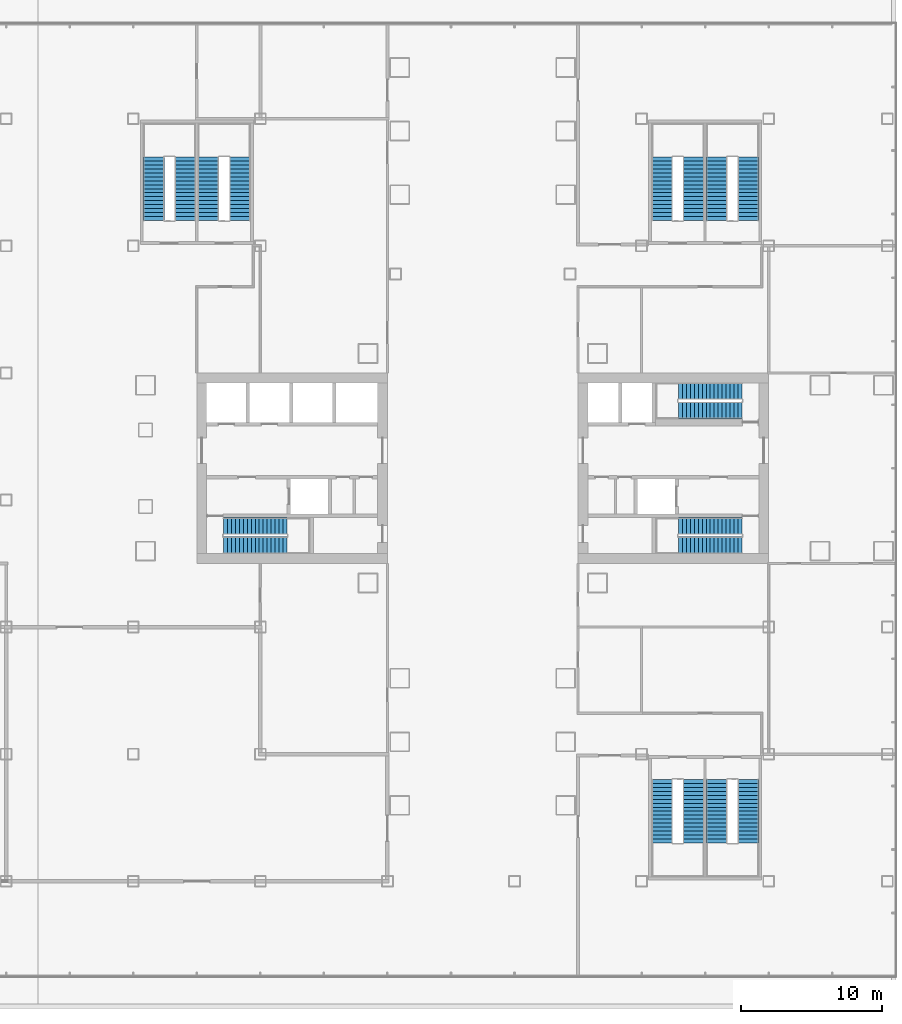
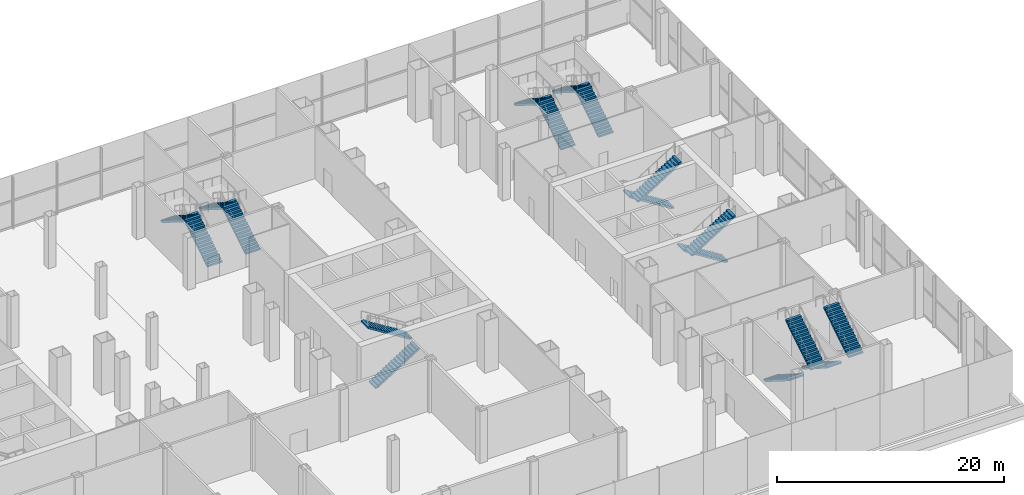
# One storey, part 33 of 38: 18 stair flights, 9 elements without a shape of their own.
"""IFC4 building model written with IfcOpenShell, lengths in metres."""

from ifc_helpers import new_model, si_unit, direction, frame, origin, place, context, subcontext, project, spatial, polyline, outline, extrude, material, type_object, element, aggregate, save


model = new_model("IFC4")

# Units and contexts
model_context = context("Model", 3, precision=1e-05, world=origin(), true_north=direction((0.0, 1.0)))
body_context = subcontext(model_context, "Body", "Model", "MODEL_VIEW")
ifc_project = project(units=[si_unit("LENGTHUNIT", "METRE"), si_unit("AREAUNIT", "SQUARE_METRE"), si_unit("VOLUMEUNIT", "CUBIC_METRE"), si_unit("PLANEANGLEUNIT", "RADIAN"), si_unit("MASSUNIT", "GRAM", prefix="KILO")], contexts=[model_context])

# Site, building, storey
site_placement = place(None, origin())
site = spatial("IfcSite", under=ifc_project, at=site_placement, CompositionType="ELEMENT")
building_placement = place(site_placement, origin())
building = spatial("IfcBuilding", under=site, at=building_placement, Name="Shamsa Quay Exchange Towers", CompositionType="ELEMENT")
storey_placement = place(building_placement, frame((0.0, 0.0, 12.5)))
storey = spatial("IfcBuildingStorey", under=building, at=storey_placement, Name="L02", CompositionType="ELEMENT", Elevation=12.5)

# Stair, stair flights
ifc_material = material(Name="Concrete C40/50", Category="concrete")
stair_type_1 = type_object("IfcStairType", Name="EXIT STAIR 34 RISERS 176 MM", PredefinedType="HALF_TURN_STAIR", material=ifc_material)
stair_1_placement = place(storey_placement, origin())
stair_1 = element("IfcStair", 1, at=stair_1_placement, inside=storey, type_object=stair_type_1, Name="L02 Exit stair ST4", PredefinedType="HALF_TURN_STAIR")
stair_flight_type_1 = type_object("IfcStairFlightType", Name="EXIT STAIR FLIGHT 17 RISERS 176 MM", PredefinedType="STRAIGHT", material=ifc_material)
stair_flight_1_placement = place(storey_placement, frame((15.39990234375, -5.449951171875, 0.0)))
stair_flight_1 = element("IfcStairFlight", 2, at=stair_flight_1_placement, type_object=stair_flight_type_1, Name="ST4 flight 1", NumberOfRisers=17, NumberOfTreads=16, PredefinedType="STRAIGHT", RiserHeight=0.176470588, TreadLength=0.28, context=body_context, shape_type="SweptSolid", body=[
    extrude(outline(polyline([(0.0, 0.0), (0.0, 0.176513671875), (0.280029296875, 0.176513671875), (0.280029296875, 0.35302734375), (0.56005859375, 0.35302734375), (0.56005859375, 0.529296875), (0.840087890625, 0.529296875), (0.840087890625, 0.705810546875), (1.1201171875, 0.705810546875), (1.1201171875, 0.88232421875), (1.39990234375, 0.88232421875), (1.39990234375, 1.058837890625), (1.679931640625, 1.058837890625), (1.679931640625, 1.2353515625), (1.9599609375, 1.2353515625), (1.9599609375, 1.411865234375), (2.239990234375, 1.411865234375), (2.239990234375, 1.588134765625), (2.52001953125, 1.588134765625), (2.52001953125, 1.7646484375), (2.800048828125, 1.7646484375), (2.800048828125, 1.941162109375), (3.080078125, 1.941162109375), (3.080078125, 2.11767578125), (3.360107421875, 2.11767578125), (3.360107421875, 2.294189453125), (3.639892578125, 2.294189453125), (3.639892578125, 2.470703125), (3.919921875, 2.470703125), (3.919921875, 2.64697265625), (4.199951171875, 2.64697265625), (4.199951171875, 2.823486328125), (4.47998046875, 2.823486328125), (4.47998046875, 3.0), (4.47998046875, 2.658203125), (0.262451171875, 0.0), (0.0, 0.0)])), frame((0.0, 0.60009765625, 0.0), z_axis=(0.0, -1.0, 0.0), x_axis=(1.0, 0.0, 0.0)), (0.0, 0.0, 1.0), 1.199951171875),
])
stair_flight_2_placement = place(storey_placement, frame((19.8798828125, -4.10009765625, 3.0), z_axis=(0.0, 0.0, 1.0), x_axis=(-1.0, 0.0, 0.0)))
stair_flight_2 = element("IfcStairFlight", 3, at=stair_flight_2_placement, type_object=stair_flight_type_1, Name="ST4 flight 2", NumberOfRisers=17, NumberOfTreads=16, PredefinedType="STRAIGHT", RiserHeight=0.176470588, TreadLength=0.28, context=body_context, shape_type="SweptSolid", body=[
    extrude(outline(polyline([(0.0, 0.0), (0.0, 0.176513671875), (0.280029296875, 0.176513671875), (0.280029296875, 0.35302734375), (0.56005859375, 0.35302734375), (0.56005859375, 0.529296875), (0.840087890625, 0.529296875), (0.840087890625, 0.705810546875), (1.1201171875, 0.705810546875), (1.1201171875, 0.88232421875), (1.39990234375, 0.88232421875), (1.39990234375, 1.058837890625), (1.679931640625, 1.058837890625), (1.679931640625, 1.2353515625), (1.9599609375, 1.2353515625), (1.9599609375, 1.411865234375), (2.239990234375, 1.411865234375), (2.239990234375, 1.588134765625), (2.52001953125, 1.588134765625), (2.52001953125, 1.7646484375), (2.800048828125, 1.7646484375), (2.800048828125, 1.941162109375), (3.080078125, 1.941162109375), (3.080078125, 2.11767578125), (3.360107421875, 2.11767578125), (3.360107421875, 2.294189453125), (3.639892578125, 2.294189453125), (3.639892578125, 2.470703125), (3.919921875, 2.470703125), (3.919921875, 2.64697265625), (4.199951171875, 2.64697265625), (4.199951171875, 2.823486328125), (4.47998046875, 2.823486328125), (4.47998046875, 3.0), (4.47998046875, 2.658203125), (0.262451171875, 0.0), (0.0, 0.0)])), frame((0.0, 0.60009765625, 0.0), z_axis=(0.0, -1.0, 0.0), x_axis=(1.0, 0.0, 0.0)), (0.0, 0.0, 1.0), 1.199951171875),
])
aggregate(stair_1, [stair_flight_1, stair_flight_2])

stair_2_placement = place(storey_placement, origin())
stair_2 = element("IfcStair", 4, at=stair_2_placement, inside=storey, type_object=stair_type_1, Name="L02 Exit stair ST5", PredefinedType="HALF_TURN_STAIR")
stair_flight_3_placement = place(storey_placement, frame((52.10009765625, -4.10009765625, 0.0), z_axis=(0.0, 0.0, 1.0), x_axis=(-1.0, 0.0, 0.0)))
stair_flight_3 = element("IfcStairFlight", 5, at=stair_flight_3_placement, type_object=stair_flight_type_1, Name="ST5 flight 1", NumberOfRisers=17, NumberOfTreads=16, PredefinedType="STRAIGHT", RiserHeight=0.176470588, TreadLength=0.28, context=body_context, shape_type="SweptSolid", body=[
    extrude(outline(polyline([(0.0, 0.0), (0.0, 0.176513671875), (0.280029296875, 0.176513671875), (0.280029296875, 0.35302734375), (0.56005859375, 0.35302734375), (0.56005859375, 0.529296875), (0.840087890625, 0.529296875), (0.840087890625, 0.705810546875), (1.1201171875, 0.705810546875), (1.1201171875, 0.88232421875), (1.39990234375, 0.88232421875), (1.39990234375, 1.058837890625), (1.679931640625, 1.058837890625), (1.679931640625, 1.2353515625), (1.9599609375, 1.2353515625), (1.9599609375, 1.411865234375), (2.239990234375, 1.411865234375), (2.239990234375, 1.588134765625), (2.52001953125, 1.588134765625), (2.52001953125, 1.7646484375), (2.800048828125, 1.7646484375), (2.800048828125, 1.941162109375), (3.080078125, 1.941162109375), (3.080078125, 2.11767578125), (3.360107421875, 2.11767578125), (3.360107421875, 2.294189453125), (3.639892578125, 2.294189453125), (3.639892578125, 2.470703125), (3.919921875, 2.470703125), (3.919921875, 2.64697265625), (4.199951171875, 2.64697265625), (4.199951171875, 2.823486328125), (4.47998046875, 2.823486328125), (4.47998046875, 3.0), (4.47998046875, 2.658203125), (0.262451171875, 0.0), (0.0, 0.0)])), frame((0.0, 0.60009765625, 0.0), z_axis=(0.0, -1.0, 0.0), x_axis=(1.0, 0.0, 0.0)), (0.0, 0.0, 1.0), 1.199951171875),
])
stair_flight_4_placement = place(storey_placement, frame((47.6201171875, -5.449951171875, 3.0)))
stair_flight_4 = element("IfcStairFlight", 6, at=stair_flight_4_placement, type_object=stair_flight_type_1, Name="ST5 flight 2", NumberOfRisers=17, NumberOfTreads=16, PredefinedType="STRAIGHT", RiserHeight=0.176470588, TreadLength=0.28, context=body_context, shape_type="SweptSolid", body=[
    extrude(outline(polyline([(0.0, 0.0), (0.0, 0.176513671875), (0.280029296875, 0.176513671875), (0.280029296875, 0.35302734375), (0.56005859375, 0.35302734375), (0.56005859375, 0.529296875), (0.840087890625, 0.529296875), (0.840087890625, 0.705810546875), (1.1201171875, 0.705810546875), (1.1201171875, 0.88232421875), (1.39990234375, 0.88232421875), (1.39990234375, 1.058837890625), (1.679931640625, 1.058837890625), (1.679931640625, 1.2353515625), (1.9599609375, 1.2353515625), (1.9599609375, 1.411865234375), (2.239990234375, 1.411865234375), (2.239990234375, 1.588134765625), (2.52001953125, 1.588134765625), (2.52001953125, 1.7646484375), (2.800048828125, 1.7646484375), (2.800048828125, 1.941162109375), (3.080078125, 1.941162109375), (3.080078125, 2.11767578125), (3.360107421875, 2.11767578125), (3.360107421875, 2.294189453125), (3.639892578125, 2.294189453125), (3.639892578125, 2.470703125), (3.919921875, 2.470703125), (3.919921875, 2.64697265625), (4.199951171875, 2.64697265625), (4.199951171875, 2.823486328125), (4.47998046875, 2.823486328125), (4.47998046875, 3.0), (4.47998046875, 2.658203125), (0.262451171875, 0.0), (0.0, 0.0)])), frame((0.0, 0.60009765625, 0.0), z_axis=(0.0, -1.0, 0.0), x_axis=(1.0, 0.0, 0.0)), (0.0, 0.0, 1.0), 1.199951171875),
])
aggregate(stair_2, [stair_flight_3, stair_flight_4])

stair_3_placement = place(storey_placement, origin())
stair_3 = element("IfcStair", 7, at=stair_3_placement, inside=storey, type_object=stair_type_1, Name="L02 Exit stair ST6", PredefinedType="HALF_TURN_STAIR")
stair_flight_5_placement = place(storey_placement, frame((52.10009765625, 5.449951171875, 0.0), z_axis=(0.0, 0.0, 1.0), x_axis=(-1.0, 0.0, 0.0)))
stair_flight_5 = element("IfcStairFlight", 8, at=stair_flight_5_placement, type_object=stair_flight_type_1, Name="ST6 flight 1", NumberOfRisers=17, NumberOfTreads=16, PredefinedType="STRAIGHT", RiserHeight=0.176470588, TreadLength=0.28, context=body_context, shape_type="SweptSolid", body=[
    extrude(outline(polyline([(0.0, 0.0), (0.0, 0.176513671875), (0.280029296875, 0.176513671875), (0.280029296875, 0.35302734375), (0.56005859375, 0.35302734375), (0.56005859375, 0.529296875), (0.840087890625, 0.529296875), (0.840087890625, 0.705810546875), (1.1201171875, 0.705810546875), (1.1201171875, 0.88232421875), (1.39990234375, 0.88232421875), (1.39990234375, 1.058837890625), (1.679931640625, 1.058837890625), (1.679931640625, 1.2353515625), (1.9599609375, 1.2353515625), (1.9599609375, 1.411865234375), (2.239990234375, 1.411865234375), (2.239990234375, 1.588134765625), (2.52001953125, 1.588134765625), (2.52001953125, 1.7646484375), (2.800048828125, 1.7646484375), (2.800048828125, 1.941162109375), (3.080078125, 1.941162109375), (3.080078125, 2.11767578125), (3.360107421875, 2.11767578125), (3.360107421875, 2.294189453125), (3.639892578125, 2.294189453125), (3.639892578125, 2.470703125), (3.919921875, 2.470703125), (3.919921875, 2.64697265625), (4.199951171875, 2.64697265625), (4.199951171875, 2.823486328125), (4.47998046875, 2.823486328125), (4.47998046875, 3.0), (4.47998046875, 2.658203125), (0.262451171875, 0.0), (0.0, 0.0)])), frame((0.0, 0.60009765625, 0.0), z_axis=(0.0, -1.0, 0.0), x_axis=(1.0, 0.0, 0.0)), (0.0, 0.0, 1.0), 1.199951171875),
])
stair_flight_6_placement = place(storey_placement, frame((47.6201171875, 4.10009765625, 3.0)))
stair_flight_6 = element("IfcStairFlight", 9, at=stair_flight_6_placement, type_object=stair_flight_type_1, Name="ST6 flight 2", NumberOfRisers=17, NumberOfTreads=16, PredefinedType="STRAIGHT", RiserHeight=0.176470588, TreadLength=0.28, context=body_context, shape_type="SweptSolid", body=[
    extrude(outline(polyline([(0.0, 0.0), (0.0, 0.176513671875), (0.280029296875, 0.176513671875), (0.280029296875, 0.35302734375), (0.56005859375, 0.35302734375), (0.56005859375, 0.529296875), (0.840087890625, 0.529296875), (0.840087890625, 0.705810546875), (1.1201171875, 0.705810546875), (1.1201171875, 0.88232421875), (1.39990234375, 0.88232421875), (1.39990234375, 1.058837890625), (1.679931640625, 1.058837890625), (1.679931640625, 1.2353515625), (1.9599609375, 1.2353515625), (1.9599609375, 1.411865234375), (2.239990234375, 1.411865234375), (2.239990234375, 1.588134765625), (2.52001953125, 1.588134765625), (2.52001953125, 1.7646484375), (2.800048828125, 1.7646484375), (2.800048828125, 1.941162109375), (3.080078125, 1.941162109375), (3.080078125, 2.11767578125), (3.360107421875, 2.11767578125), (3.360107421875, 2.294189453125), (3.639892578125, 2.294189453125), (3.639892578125, 2.470703125), (3.919921875, 2.470703125), (3.919921875, 2.64697265625), (4.199951171875, 2.64697265625), (4.199951171875, 2.823486328125), (4.47998046875, 2.823486328125), (4.47998046875, 3.0), (4.47998046875, 2.658203125), (0.262451171875, 0.0), (0.0, 0.0)])), frame((0.0, 0.60009765625, 0.0), z_axis=(0.0, -1.0, 0.0), x_axis=(1.0, 0.0, 0.0)), (0.0, 0.0, 1.0), 1.199951171875),
])
aggregate(stair_3, [stair_flight_5, stair_flight_6])

stair_type_2 = type_object("IfcStairType", Name="PODIUM EXIT STAIR 34 RISERS 176 MM 1500 WIDE", PredefinedType="HALF_TURN_STAIR", material=ifc_material)
stair_4_placement = place(storey_placement, origin())
stair_4 = element("IfcStair", 10, at=stair_4_placement, inside=storey, type_object=stair_type_2, Name="L02 Exit stair PS3A", PredefinedType="HALF_TURN_STAIR")
stair_flight_type_2 = type_object("IfcStairFlightType", Name="PODIUM EXIT STAIR FLIGHT 17 RISERS 176 MM 1500 WIDE", PredefinedType="STRAIGHT", material=ifc_material)
stair_flight_7_placement = place(storey_placement, frame((12.675048828125, 17.550048828125, 0.0), z_axis=(0.0, 0.0, 1.0), x_axis=(0.0, 1.0, 0.0)))
stair_flight_7 = element("IfcStairFlight", 11, at=stair_flight_7_placement, type_object=stair_flight_type_2, Name="PS3A flight 1", NumberOfRisers=17, NumberOfTreads=16, PredefinedType="STRAIGHT", RiserHeight=0.176470588, TreadLength=0.28, context=body_context, shape_type="SweptSolid", body=[
    extrude(outline(polyline([(0.0, 0.0), (0.0, 0.176513671875), (0.280029296875, 0.176513671875), (0.280029296875, 0.35302734375), (0.56005859375, 0.35302734375), (0.56005859375, 0.529296875), (0.840087890625, 0.529296875), (0.840087890625, 0.705810546875), (1.1201171875, 0.705810546875), (1.1201171875, 0.88232421875), (1.39990234375, 0.88232421875), (1.39990234375, 1.058837890625), (1.679931640625, 1.058837890625), (1.679931640625, 1.2353515625), (1.9599609375, 1.2353515625), (1.9599609375, 1.411865234375), (2.239990234375, 1.411865234375), (2.239990234375, 1.588134765625), (2.52001953125, 1.588134765625), (2.52001953125, 1.7646484375), (2.800048828125, 1.7646484375), (2.800048828125, 1.941162109375), (3.080078125, 1.941162109375), (3.080078125, 2.11767578125), (3.360107421875, 2.11767578125), (3.360107421875, 2.294189453125), (3.639892578125, 2.294189453125), (3.639892578125, 2.470703125), (3.919921875, 2.470703125), (3.919921875, 2.64697265625), (4.199951171875, 2.64697265625), (4.199951171875, 2.823486328125), (4.47998046875, 2.823486328125), (4.47998046875, 3.0), (4.47998046875, 2.646240234375), (0.28125, 0.0), (0.0, 0.0)])), frame((0.0, 0.75, 0.0), z_axis=(0.0, -1.0, 0.0), x_axis=(1.0, 0.0, 0.0)), (0.0, 0.0, 1.0), 1.5),
])
stair_flight_8_placement = place(storey_placement, frame((10.449951171875, 22.030029296875, 3.0), z_axis=(0.0, 0.0, 1.0), x_axis=(0.0, -1.0, 0.0)))
stair_flight_8 = element("IfcStairFlight", 12, at=stair_flight_8_placement, type_object=stair_flight_type_2, Name="PS3A flight 2", NumberOfRisers=17, NumberOfTreads=16, PredefinedType="STRAIGHT", RiserHeight=0.176470588, TreadLength=0.28, context=body_context, shape_type="SweptSolid", body=[
    extrude(outline(polyline([(0.0, 0.0), (0.0, 0.176513671875), (0.280029296875, 0.176513671875), (0.280029296875, 0.35302734375), (0.56005859375, 0.35302734375), (0.56005859375, 0.529296875), (0.840087890625, 0.529296875), (0.840087890625, 0.705810546875), (1.1201171875, 0.705810546875), (1.1201171875, 0.88232421875), (1.39990234375, 0.88232421875), (1.39990234375, 1.058837890625), (1.679931640625, 1.058837890625), (1.679931640625, 1.2353515625), (1.9599609375, 1.2353515625), (1.9599609375, 1.411865234375), (2.239990234375, 1.411865234375), (2.239990234375, 1.588134765625), (2.52001953125, 1.588134765625), (2.52001953125, 1.7646484375), (2.800048828125, 1.7646484375), (2.800048828125, 1.941162109375), (3.080078125, 1.941162109375), (3.080078125, 2.11767578125), (3.360107421875, 2.11767578125), (3.360107421875, 2.294189453125), (3.639892578125, 2.294189453125), (3.639892578125, 2.470703125), (3.919921875, 2.470703125), (3.919921875, 2.64697265625), (4.199951171875, 2.64697265625), (4.199951171875, 2.823486328125), (4.47998046875, 2.823486328125), (4.47998046875, 3.0), (4.47998046875, 2.646240234375), (0.28125, 0.0), (0.0, 0.0)])), frame((0.0, 0.75, 0.0), z_axis=(0.0, -1.0, 0.0), x_axis=(1.0, 0.0, 0.0)), (0.0, 0.0, 1.0), 1.5),
])
aggregate(stair_4, [stair_flight_7, stair_flight_8])

stair_5_placement = place(storey_placement, origin())
stair_5 = element("IfcStair", 13, at=stair_5_placement, inside=storey, type_object=stair_type_2, Name="L02 Exit stair PS3B", PredefinedType="HALF_TURN_STAIR")
stair_flight_9_placement = place(storey_placement, frame((16.550048828125, 17.550048828125, 0.0), z_axis=(0.0, 0.0, 1.0), x_axis=(0.0, 1.0, 0.0)))
stair_flight_9 = element("IfcStairFlight", 14, at=stair_flight_9_placement, type_object=stair_flight_type_2, Name="PS3B flight 1", NumberOfRisers=17, NumberOfTreads=16, PredefinedType="STRAIGHT", RiserHeight=0.176470588, TreadLength=0.28, context=body_context, shape_type="SweptSolid", body=[
    extrude(outline(polyline([(0.0, 0.0), (0.0, 0.176513671875), (0.280029296875, 0.176513671875), (0.280029296875, 0.35302734375), (0.56005859375, 0.35302734375), (0.56005859375, 0.529296875), (0.840087890625, 0.529296875), (0.840087890625, 0.705810546875), (1.1201171875, 0.705810546875), (1.1201171875, 0.88232421875), (1.39990234375, 0.88232421875), (1.39990234375, 1.058837890625), (1.679931640625, 1.058837890625), (1.679931640625, 1.2353515625), (1.9599609375, 1.2353515625), (1.9599609375, 1.411865234375), (2.239990234375, 1.411865234375), (2.239990234375, 1.588134765625), (2.52001953125, 1.588134765625), (2.52001953125, 1.7646484375), (2.800048828125, 1.7646484375), (2.800048828125, 1.941162109375), (3.080078125, 1.941162109375), (3.080078125, 2.11767578125), (3.360107421875, 2.11767578125), (3.360107421875, 2.294189453125), (3.639892578125, 2.294189453125), (3.639892578125, 2.470703125), (3.919921875, 2.470703125), (3.919921875, 2.64697265625), (4.199951171875, 2.64697265625), (4.199951171875, 2.823486328125), (4.47998046875, 2.823486328125), (4.47998046875, 3.0), (4.47998046875, 2.646240234375), (0.28125, 0.0), (0.0, 0.0)])), frame((0.0, 0.75, 0.0), z_axis=(0.0, -1.0, 0.0), x_axis=(1.0, 0.0, 0.0)), (0.0, 0.0, 1.0), 1.5),
])
stair_flight_10_placement = place(storey_placement, frame((14.324951171875, 22.030029296875, 3.0), z_axis=(0.0, 0.0, 1.0), x_axis=(0.0, -1.0, 0.0)))
stair_flight_10 = element("IfcStairFlight", 15, at=stair_flight_10_placement, type_object=stair_flight_type_2, Name="PS3B flight 2", NumberOfRisers=17, NumberOfTreads=16, PredefinedType="STRAIGHT", RiserHeight=0.176470588, TreadLength=0.28, context=body_context, shape_type="SweptSolid", body=[
    extrude(outline(polyline([(0.0, 0.0), (0.0, 0.176513671875), (0.280029296875, 0.176513671875), (0.280029296875, 0.35302734375), (0.56005859375, 0.35302734375), (0.56005859375, 0.529296875), (0.840087890625, 0.529296875), (0.840087890625, 0.705810546875), (1.1201171875, 0.705810546875), (1.1201171875, 0.88232421875), (1.39990234375, 0.88232421875), (1.39990234375, 1.058837890625), (1.679931640625, 1.058837890625), (1.679931640625, 1.2353515625), (1.9599609375, 1.2353515625), (1.9599609375, 1.411865234375), (2.239990234375, 1.411865234375), (2.239990234375, 1.588134765625), (2.52001953125, 1.588134765625), (2.52001953125, 1.7646484375), (2.800048828125, 1.7646484375), (2.800048828125, 1.941162109375), (3.080078125, 1.941162109375), (3.080078125, 2.11767578125), (3.360107421875, 2.11767578125), (3.360107421875, 2.294189453125), (3.639892578125, 2.294189453125), (3.639892578125, 2.470703125), (3.919921875, 2.470703125), (3.919921875, 2.64697265625), (4.199951171875, 2.64697265625), (4.199951171875, 2.823486328125), (4.47998046875, 2.823486328125), (4.47998046875, 3.0), (4.47998046875, 2.646240234375), (0.28125, 0.0), (0.0, 0.0)])), frame((0.0, 0.75, 0.0), z_axis=(0.0, -1.0, 0.0), x_axis=(1.0, 0.0, 0.0)), (0.0, 0.0, 1.0), 1.5),
])
aggregate(stair_5, [stair_flight_9, stair_flight_10])

stair_6_placement = place(storey_placement, origin())
stair_6 = element("IfcStair", 16, at=stair_6_placement, inside=storey, type_object=stair_type_2, Name="L02 Exit stair PS4A", PredefinedType="HALF_TURN_STAIR")
stair_flight_11_placement = place(storey_placement, frame((48.675048828125, 17.550048828125, 0.0), z_axis=(0.0, 0.0, 1.0), x_axis=(0.0, 1.0, 0.0)))
stair_flight_11 = element("IfcStairFlight", 17, at=stair_flight_11_placement, type_object=stair_flight_type_2, Name="PS4A flight 1", NumberOfRisers=17, NumberOfTreads=16, PredefinedType="STRAIGHT", RiserHeight=0.176470588, TreadLength=0.28, context=body_context, shape_type="SweptSolid", body=[
    extrude(outline(polyline([(0.0, 0.0), (0.0, 0.176513671875), (0.280029296875, 0.176513671875), (0.280029296875, 0.35302734375), (0.56005859375, 0.35302734375), (0.56005859375, 0.529296875), (0.840087890625, 0.529296875), (0.840087890625, 0.705810546875), (1.1201171875, 0.705810546875), (1.1201171875, 0.88232421875), (1.39990234375, 0.88232421875), (1.39990234375, 1.058837890625), (1.679931640625, 1.058837890625), (1.679931640625, 1.2353515625), (1.9599609375, 1.2353515625), (1.9599609375, 1.411865234375), (2.239990234375, 1.411865234375), (2.239990234375, 1.588134765625), (2.52001953125, 1.588134765625), (2.52001953125, 1.7646484375), (2.800048828125, 1.7646484375), (2.800048828125, 1.941162109375), (3.080078125, 1.941162109375), (3.080078125, 2.11767578125), (3.360107421875, 2.11767578125), (3.360107421875, 2.294189453125), (3.639892578125, 2.294189453125), (3.639892578125, 2.470703125), (3.919921875, 2.470703125), (3.919921875, 2.64697265625), (4.199951171875, 2.64697265625), (4.199951171875, 2.823486328125), (4.47998046875, 2.823486328125), (4.47998046875, 3.0), (4.47998046875, 2.646240234375), (0.28125, 0.0), (0.0, 0.0)])), frame((0.0, 0.75, 0.0), z_axis=(0.0, -1.0, 0.0), x_axis=(1.0, 0.0, 0.0)), (0.0, 0.0, 1.0), 1.5),
])
stair_flight_12_placement = place(storey_placement, frame((46.449951171875, 22.030029296875, 3.0), z_axis=(0.0, 0.0, 1.0), x_axis=(0.0, -1.0, 0.0)))
stair_flight_12 = element("IfcStairFlight", 18, at=stair_flight_12_placement, type_object=stair_flight_type_2, Name="PS4A flight 2", NumberOfRisers=17, NumberOfTreads=16, PredefinedType="STRAIGHT", RiserHeight=0.176470588, TreadLength=0.28, context=body_context, shape_type="SweptSolid", body=[
    extrude(outline(polyline([(0.0, 0.0), (0.0, 0.176513671875), (0.280029296875, 0.176513671875), (0.280029296875, 0.35302734375), (0.56005859375, 0.35302734375), (0.56005859375, 0.529296875), (0.840087890625, 0.529296875), (0.840087890625, 0.705810546875), (1.1201171875, 0.705810546875), (1.1201171875, 0.88232421875), (1.39990234375, 0.88232421875), (1.39990234375, 1.058837890625), (1.679931640625, 1.058837890625), (1.679931640625, 1.2353515625), (1.9599609375, 1.2353515625), (1.9599609375, 1.411865234375), (2.239990234375, 1.411865234375), (2.239990234375, 1.588134765625), (2.52001953125, 1.588134765625), (2.52001953125, 1.7646484375), (2.800048828125, 1.7646484375), (2.800048828125, 1.941162109375), (3.080078125, 1.941162109375), (3.080078125, 2.11767578125), (3.360107421875, 2.11767578125), (3.360107421875, 2.294189453125), (3.639892578125, 2.294189453125), (3.639892578125, 2.470703125), (3.919921875, 2.470703125), (3.919921875, 2.64697265625), (4.199951171875, 2.64697265625), (4.199951171875, 2.823486328125), (4.47998046875, 2.823486328125), (4.47998046875, 3.0), (4.47998046875, 2.646240234375), (0.28125, 0.0), (0.0, 0.0)])), frame((0.0, 0.75, 0.0), z_axis=(0.0, -1.0, 0.0), x_axis=(1.0, 0.0, 0.0)), (0.0, 0.0, 1.0), 1.5),
])
aggregate(stair_6, [stair_flight_11, stair_flight_12])

stair_7_placement = place(storey_placement, origin())
stair_7 = element("IfcStair", 19, at=stair_7_placement, inside=storey, type_object=stair_type_2, Name="L02 Exit stair PS4B", PredefinedType="HALF_TURN_STAIR")
stair_flight_13_placement = place(storey_placement, frame((52.550048828125, 17.550048828125, 0.0), z_axis=(0.0, 0.0, 1.0), x_axis=(0.0, 1.0, 0.0)))
stair_flight_13 = element("IfcStairFlight", 20, at=stair_flight_13_placement, type_object=stair_flight_type_2, Name="PS4B flight 1", NumberOfRisers=17, NumberOfTreads=16, PredefinedType="STRAIGHT", RiserHeight=0.176470588, TreadLength=0.28, context=body_context, shape_type="SweptSolid", body=[
    extrude(outline(polyline([(0.0, 0.0), (0.0, 0.176513671875), (0.280029296875, 0.176513671875), (0.280029296875, 0.35302734375), (0.56005859375, 0.35302734375), (0.56005859375, 0.529296875), (0.840087890625, 0.529296875), (0.840087890625, 0.705810546875), (1.1201171875, 0.705810546875), (1.1201171875, 0.88232421875), (1.39990234375, 0.88232421875), (1.39990234375, 1.058837890625), (1.679931640625, 1.058837890625), (1.679931640625, 1.2353515625), (1.9599609375, 1.2353515625), (1.9599609375, 1.411865234375), (2.239990234375, 1.411865234375), (2.239990234375, 1.588134765625), (2.52001953125, 1.588134765625), (2.52001953125, 1.7646484375), (2.800048828125, 1.7646484375), (2.800048828125, 1.941162109375), (3.080078125, 1.941162109375), (3.080078125, 2.11767578125), (3.360107421875, 2.11767578125), (3.360107421875, 2.294189453125), (3.639892578125, 2.294189453125), (3.639892578125, 2.470703125), (3.919921875, 2.470703125), (3.919921875, 2.64697265625), (4.199951171875, 2.64697265625), (4.199951171875, 2.823486328125), (4.47998046875, 2.823486328125), (4.47998046875, 3.0), (4.47998046875, 2.646240234375), (0.28125, 0.0), (0.0, 0.0)])), frame((0.0, 0.75, 0.0), z_axis=(0.0, -1.0, 0.0), x_axis=(1.0, 0.0, 0.0)), (0.0, 0.0, 1.0), 1.5),
])
stair_flight_14_placement = place(storey_placement, frame((50.324951171875, 22.030029296875, 3.0), z_axis=(0.0, 0.0, 1.0), x_axis=(0.0, -1.0, 0.0)))
stair_flight_14 = element("IfcStairFlight", 21, at=stair_flight_14_placement, type_object=stair_flight_type_2, Name="PS4B flight 2", NumberOfRisers=17, NumberOfTreads=16, PredefinedType="STRAIGHT", RiserHeight=0.176470588, TreadLength=0.28, context=body_context, shape_type="SweptSolid", body=[
    extrude(outline(polyline([(0.0, 0.0), (0.0, 0.176513671875), (0.280029296875, 0.176513671875), (0.280029296875, 0.35302734375), (0.56005859375, 0.35302734375), (0.56005859375, 0.529296875), (0.840087890625, 0.529296875), (0.840087890625, 0.705810546875), (1.1201171875, 0.705810546875), (1.1201171875, 0.88232421875), (1.39990234375, 0.88232421875), (1.39990234375, 1.058837890625), (1.679931640625, 1.058837890625), (1.679931640625, 1.2353515625), (1.9599609375, 1.2353515625), (1.9599609375, 1.411865234375), (2.239990234375, 1.411865234375), (2.239990234375, 1.588134765625), (2.52001953125, 1.588134765625), (2.52001953125, 1.7646484375), (2.800048828125, 1.7646484375), (2.800048828125, 1.941162109375), (3.080078125, 1.941162109375), (3.080078125, 2.11767578125), (3.360107421875, 2.11767578125), (3.360107421875, 2.294189453125), (3.639892578125, 2.294189453125), (3.639892578125, 2.470703125), (3.919921875, 2.470703125), (3.919921875, 2.64697265625), (4.199951171875, 2.64697265625), (4.199951171875, 2.823486328125), (4.47998046875, 2.823486328125), (4.47998046875, 3.0), (4.47998046875, 2.646240234375), (0.28125, 0.0), (0.0, 0.0)])), frame((0.0, 0.75, 0.0), z_axis=(0.0, -1.0, 0.0), x_axis=(1.0, 0.0, 0.0)), (0.0, 0.0, 1.0), 1.5),
])
aggregate(stair_7, [stair_flight_13, stair_flight_14])

stair_8_placement = place(storey_placement, origin())
stair_8 = element("IfcStair", 22, at=stair_8_placement, inside=storey, type_object=stair_type_2, Name="L02 Exit stair PS6A", PredefinedType="HALF_TURN_STAIR")
stair_flight_15_placement = place(storey_placement, frame((46.449951171875, -22.050048828125, 0.0), z_axis=(0.0, 0.0, 1.0), x_axis=(0.0, -1.0, 0.0)))
stair_flight_15 = element("IfcStairFlight", 23, at=stair_flight_15_placement, type_object=stair_flight_type_2, Name="PS6A flight 1", NumberOfRisers=17, NumberOfTreads=16, PredefinedType="STRAIGHT", RiserHeight=0.176470588, TreadLength=0.28, context=body_context, shape_type="SweptSolid", body=[
    extrude(outline(polyline([(0.0, 0.0), (0.0, 0.176513671875), (0.280029296875, 0.176513671875), (0.280029296875, 0.35302734375), (0.56005859375, 0.35302734375), (0.56005859375, 0.529296875), (0.840087890625, 0.529296875), (0.840087890625, 0.705810546875), (1.1201171875, 0.705810546875), (1.1201171875, 0.88232421875), (1.39990234375, 0.88232421875), (1.39990234375, 1.058837890625), (1.679931640625, 1.058837890625), (1.679931640625, 1.2353515625), (1.9599609375, 1.2353515625), (1.9599609375, 1.411865234375), (2.239990234375, 1.411865234375), (2.239990234375, 1.588134765625), (2.52001953125, 1.588134765625), (2.52001953125, 1.7646484375), (2.800048828125, 1.7646484375), (2.800048828125, 1.941162109375), (3.080078125, 1.941162109375), (3.080078125, 2.11767578125), (3.360107421875, 2.11767578125), (3.360107421875, 2.294189453125), (3.639892578125, 2.294189453125), (3.639892578125, 2.470703125), (3.919921875, 2.470703125), (3.919921875, 2.64697265625), (4.199951171875, 2.64697265625), (4.199951171875, 2.823486328125), (4.47998046875, 2.823486328125), (4.47998046875, 3.0), (4.47998046875, 2.646240234375), (0.28125, 0.0), (0.0, 0.0)])), frame((0.0, 0.75, 0.0), z_axis=(0.0, -1.0, 0.0), x_axis=(1.0, 0.0, 0.0)), (0.0, 0.0, 1.0), 1.5),
])
stair_flight_16_placement = place(storey_placement, frame((48.675048828125, -26.530029296875, 3.0), z_axis=(0.0, 0.0, 1.0), x_axis=(0.0, 1.0, 0.0)))
stair_flight_16 = element("IfcStairFlight", 24, at=stair_flight_16_placement, type_object=stair_flight_type_2, Name="PS6A flight 2", NumberOfRisers=17, NumberOfTreads=16, PredefinedType="STRAIGHT", RiserHeight=0.176470588, TreadLength=0.28, context=body_context, shape_type="SweptSolid", body=[
    extrude(outline(polyline([(0.0, 0.0), (0.0, 0.176513671875), (0.280029296875, 0.176513671875), (0.280029296875, 0.35302734375), (0.56005859375, 0.35302734375), (0.56005859375, 0.529296875), (0.840087890625, 0.529296875), (0.840087890625, 0.705810546875), (1.1201171875, 0.705810546875), (1.1201171875, 0.88232421875), (1.39990234375, 0.88232421875), (1.39990234375, 1.058837890625), (1.679931640625, 1.058837890625), (1.679931640625, 1.2353515625), (1.9599609375, 1.2353515625), (1.9599609375, 1.411865234375), (2.239990234375, 1.411865234375), (2.239990234375, 1.588134765625), (2.52001953125, 1.588134765625), (2.52001953125, 1.7646484375), (2.800048828125, 1.7646484375), (2.800048828125, 1.941162109375), (3.080078125, 1.941162109375), (3.080078125, 2.11767578125), (3.360107421875, 2.11767578125), (3.360107421875, 2.294189453125), (3.639892578125, 2.294189453125), (3.639892578125, 2.470703125), (3.919921875, 2.470703125), (3.919921875, 2.64697265625), (4.199951171875, 2.64697265625), (4.199951171875, 2.823486328125), (4.47998046875, 2.823486328125), (4.47998046875, 3.0), (4.47998046875, 2.646240234375), (0.28125, 0.0), (0.0, 0.0)])), frame((0.0, 0.75, 0.0), z_axis=(0.0, -1.0, 0.0), x_axis=(1.0, 0.0, 0.0)), (0.0, 0.0, 1.0), 1.5),
])
aggregate(stair_8, [stair_flight_15, stair_flight_16])

stair_9_placement = place(storey_placement, origin())
stair_9 = element("IfcStair", 25, at=stair_9_placement, inside=storey, type_object=stair_type_2, Name="L02 Exit stair PS6B", PredefinedType="HALF_TURN_STAIR")
stair_flight_17_placement = place(storey_placement, frame((50.324951171875, -22.050048828125, 0.0), z_axis=(0.0, 0.0, 1.0), x_axis=(0.0, -1.0, 0.0)))
stair_flight_17 = element("IfcStairFlight", 26, at=stair_flight_17_placement, type_object=stair_flight_type_2, Name="PS6B flight 1", NumberOfRisers=17, NumberOfTreads=16, PredefinedType="STRAIGHT", RiserHeight=0.176470588, TreadLength=0.28, context=body_context, shape_type="SweptSolid", body=[
    extrude(outline(polyline([(0.0, 0.0), (0.0, 0.176513671875), (0.280029296875, 0.176513671875), (0.280029296875, 0.35302734375), (0.56005859375, 0.35302734375), (0.56005859375, 0.529296875), (0.840087890625, 0.529296875), (0.840087890625, 0.705810546875), (1.1201171875, 0.705810546875), (1.1201171875, 0.88232421875), (1.39990234375, 0.88232421875), (1.39990234375, 1.058837890625), (1.679931640625, 1.058837890625), (1.679931640625, 1.2353515625), (1.9599609375, 1.2353515625), (1.9599609375, 1.411865234375), (2.239990234375, 1.411865234375), (2.239990234375, 1.588134765625), (2.52001953125, 1.588134765625), (2.52001953125, 1.7646484375), (2.800048828125, 1.7646484375), (2.800048828125, 1.941162109375), (3.080078125, 1.941162109375), (3.080078125, 2.11767578125), (3.360107421875, 2.11767578125), (3.360107421875, 2.294189453125), (3.639892578125, 2.294189453125), (3.639892578125, 2.470703125), (3.919921875, 2.470703125), (3.919921875, 2.64697265625), (4.199951171875, 2.64697265625), (4.199951171875, 2.823486328125), (4.47998046875, 2.823486328125), (4.47998046875, 3.0), (4.47998046875, 2.646240234375), (0.28125, 0.0), (0.0, 0.0)])), frame((0.0, 0.75, 0.0), z_axis=(0.0, -1.0, 0.0), x_axis=(1.0, 0.0, 0.0)), (0.0, 0.0, 1.0), 1.5),
])
stair_flight_18_placement = place(storey_placement, frame((52.550048828125, -26.530029296875, 3.0), z_axis=(0.0, 0.0, 1.0), x_axis=(0.0, 1.0, 0.0)))
stair_flight_18 = element("IfcStairFlight", 27, at=stair_flight_18_placement, type_object=stair_flight_type_2, Name="PS6B flight 2", NumberOfRisers=17, NumberOfTreads=16, PredefinedType="STRAIGHT", RiserHeight=0.176470588, TreadLength=0.28, context=body_context, shape_type="SweptSolid", body=[
    extrude(outline(polyline([(0.0, 0.0), (0.0, 0.176513671875), (0.280029296875, 0.176513671875), (0.280029296875, 0.35302734375), (0.56005859375, 0.35302734375), (0.56005859375, 0.529296875), (0.840087890625, 0.529296875), (0.840087890625, 0.705810546875), (1.1201171875, 0.705810546875), (1.1201171875, 0.88232421875), (1.39990234375, 0.88232421875), (1.39990234375, 1.058837890625), (1.679931640625, 1.058837890625), (1.679931640625, 1.2353515625), (1.9599609375, 1.2353515625), (1.9599609375, 1.411865234375), (2.239990234375, 1.411865234375), (2.239990234375, 1.588134765625), (2.52001953125, 1.588134765625), (2.52001953125, 1.7646484375), (2.800048828125, 1.7646484375), (2.800048828125, 1.941162109375), (3.080078125, 1.941162109375), (3.080078125, 2.11767578125), (3.360107421875, 2.11767578125), (3.360107421875, 2.294189453125), (3.639892578125, 2.294189453125), (3.639892578125, 2.470703125), (3.919921875, 2.470703125), (3.919921875, 2.64697265625), (4.199951171875, 2.64697265625), (4.199951171875, 2.823486328125), (4.47998046875, 2.823486328125), (4.47998046875, 3.0), (4.47998046875, 2.646240234375), (0.28125, 0.0), (0.0, 0.0)])), frame((0.0, 0.75, 0.0), z_axis=(0.0, -1.0, 0.0), x_axis=(1.0, 0.0, 0.0)), (0.0, 0.0, 1.0), 1.5),
])
aggregate(stair_9, [stair_flight_17, stair_flight_18])

save(model, "model.ifc")
